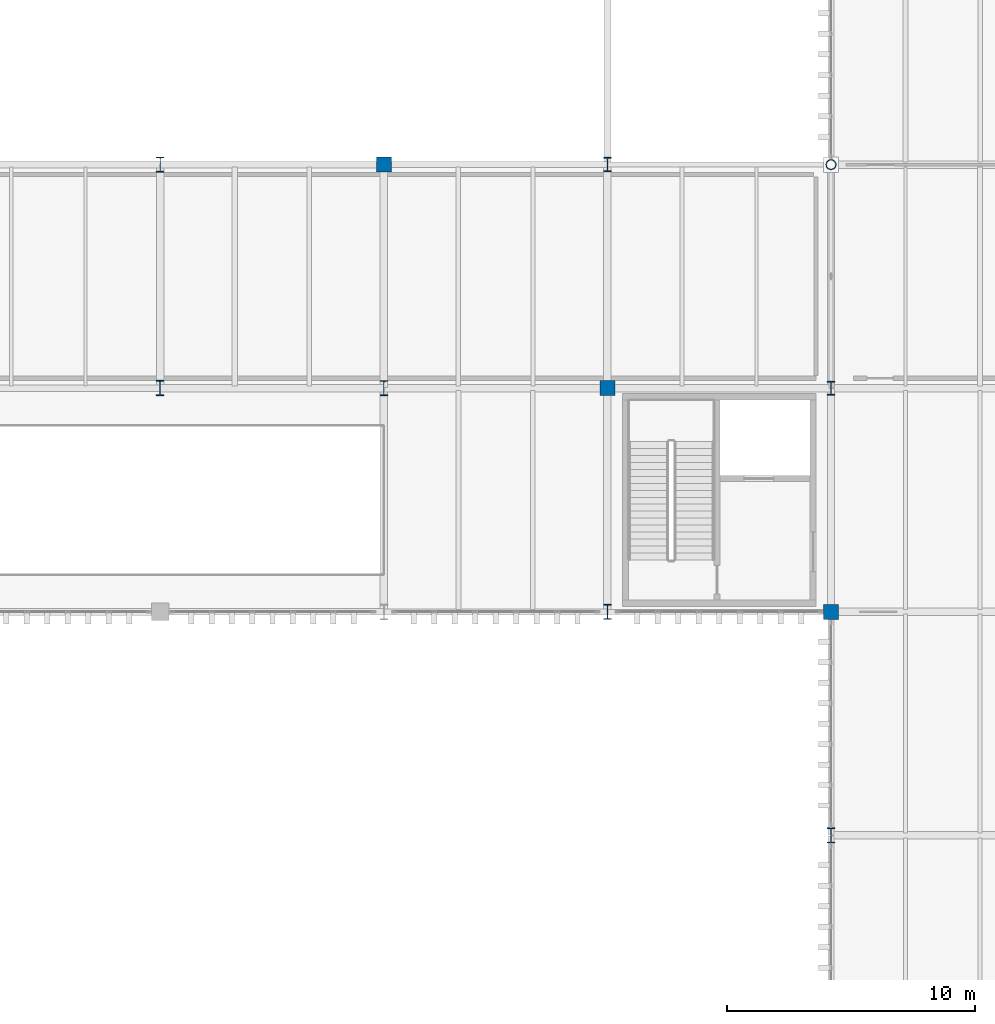
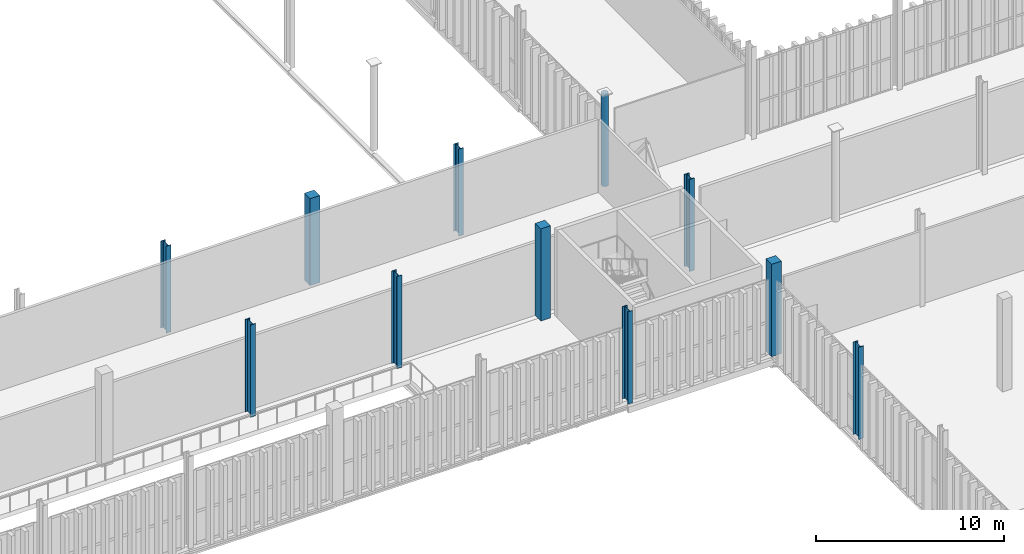
# One storey, part 7 of 237: 11 columns.
"""IFC4 building model written with IfcOpenShell, lengths in metres."""

from ifc_helpers import new_model, si_unit, direction, frame, origin, origin_2d, place, context, subcontext, project, spatial, rectangle, hollow_circle, i_section, extrude, material, material_profile, profile_set, type_object, element, save


model = new_model("IFC4")

# Units and contexts
model_context = context("Model", 3, precision=1e-05, world=origin(), true_north=direction((0.0, 1.0)))
body_context = subcontext(model_context, "Body", "Model", "MODEL_VIEW")
ifc_project = project(units=[si_unit("LENGTHUNIT", "METRE"), si_unit("AREAUNIT", "SQUARE_METRE"), si_unit("VOLUMEUNIT", "CUBIC_METRE"), si_unit("PLANEANGLEUNIT", "RADIAN"), si_unit("MASSUNIT", "GRAM", prefix="KILO")], contexts=[model_context])

# Site, building, storey
site_placement = place(None, origin())
site = spatial("IfcSite", under=ifc_project, at=site_placement, CompositionType="ELEMENT")
building_placement = place(site_placement, origin())
building = spatial("IfcBuilding", under=site, at=building_placement, Name="Barlavento Convention Centre", CompositionType="ELEMENT")
storey_placement = place(building_placement, frame((0.0, 0.0, 12.0)))
storey = spatial("IfcBuildingStorey", under=building, at=storey_placement, Name="L02", CompositionType="ELEMENT", Elevation=12.0)

# Columns
ifc_material_1 = material(Name="Steel S355", Category="steel")
ifc_material_profile_1 = material_profile(ifc_material_1, hollow_circle(Radius=0.203125, WallThickness=0.01611328125, at=origin_2d()), Name="CHS 406.4x16.0")
ifc_profile_set_1 = profile_set([ifc_material_profile_1], Name="Steel S355")
column_type_1 = type_object("IfcColumnType", Name="STR-COL-CHS406", PredefinedType="COLUMN", material=ifc_profile_set_1)
column_1_placement = place(storey_placement, frame((126.0, 63.0, 0.0), z_axis=(0.0, 0.0, 1.0), x_axis=(1.0, 0.0, 0.0)))
element("IfcColumn", 1, at=column_1_placement, inside=storey, type_object=column_type_1, Name="L02 column SC14", PredefinedType="COLUMN", context=body_context, shape_type="SweptSolid", body=[
    extrude(hollow_circle(Radius=0.203125, WallThickness=0.01611328125, at=origin_2d()), origin(), (0.0, 0.0, 1.0), 6.0),
])
ifc_material_profile_2 = material_profile(ifc_material_1, i_section(OverallWidth=0.300048828125, OverallDepth=0.60009765625, WebThickness=0.015380859375, FlangeThickness=0.030029296875, FilletRadius=0.027099609375, at=origin_2d()), Name="HEB 600")
ifc_profile_set_2 = profile_set([ifc_material_profile_2], Name="Steel S355")
column_type_2 = type_object("IfcColumnType", Name="STR-COL-HEB600", PredefinedType="COLUMN", material=ifc_profile_set_2)
column_2_placement = place(storey_placement, frame((99.0, 63.0, 0.0), z_axis=(0.0, 0.0, 1.0), x_axis=(1.0, 0.0, 0.0)))
element("IfcColumn", 2, at=column_2_placement, inside=storey, type_object=column_type_2, Name="L02 column SC08", PredefinedType="COLUMN", context=body_context, shape_type="SweptSolid", body=[
    extrude(i_section(OverallWidth=0.300048828125, OverallDepth=0.60009765625, WebThickness=0.015380859375, FlangeThickness=0.030029296875, FilletRadius=0.027099609375, at=origin_2d()), origin(), (0.0, 0.0, 1.0), 5.655029296875),
])
for number, where, z_axis, x_axis, name in (
    (3, (108.0, 54.0, 0.0), (0.0, 0.0, 1.0), (1.0, 0.0, 0.0), "L02 column SC08"),
    (4, (117.0, 45.0, 0.0), (0.0, 0.0, 1.0), (1.0, 0.0, 0.0), "L02 column SC08"),
    (5, (126.0, 36.0, 0.0), (0.0, 0.0, 1.0), (1.0, 0.0, 0.0), "L02 column SC08"),
):
    element("IfcColumn", number, at=place(storey_placement, frame(where, z_axis=z_axis, x_axis=x_axis)), inside=storey, type_object=column_type_2, Name=name, PredefinedType="COLUMN", context=body_context, shape_type="SweptSolid", body=[
        extrude(i_section(OverallWidth=0.300048828125, OverallDepth=0.60009765625, WebThickness=0.015380859375, FlangeThickness=0.030029296875, FilletRadius=0.027099609375, at=origin_2d()), origin(), (0.0, 0.0, 1.0), 6.0),
    ])
ifc_material_profile_3 = material_profile(ifc_material_1, i_section(OverallWidth=0.305908203125, OverallDepth=0.572021484375, WebThickness=0.02099609375, FlangeThickness=0.0400390625, FilletRadius=0.027099609375, at=origin_2d()), Name="HEM 550")
ifc_profile_set_3 = profile_set([ifc_material_profile_3], Name="Steel S355")
column_type_3 = type_object("IfcColumnType", Name="STR-COL-HEM550", PredefinedType="COLUMN", material=ifc_profile_set_3)
column_3_placement = place(storey_placement, frame((117.0, 63.0, 0.0), z_axis=(0.0, 0.0, 1.0), x_axis=(1.0, 0.0, 0.0)))
element("IfcColumn", 6, at=column_3_placement, inside=storey, type_object=column_type_3, Name="L02 column SC06", PredefinedType="COLUMN", context=body_context, shape_type="SweptSolid", body=[
    extrude(i_section(OverallWidth=0.305908203125, OverallDepth=0.572021484375, WebThickness=0.02099609375, FlangeThickness=0.0400390625, FilletRadius=0.027099609375, at=origin_2d()), origin(), (0.0, 0.0, 1.0), 5.655029296875),
])
column_4_placement = place(storey_placement, frame((126.0, 54.0, 0.0), z_axis=(0.0, 0.0, 1.0), x_axis=(1.0, 0.0, 0.0)))
element("IfcColumn", 7, at=column_4_placement, inside=storey, type_object=column_type_3, Name="L02 column SC06", PredefinedType="COLUMN", context=body_context, shape_type="SweptSolid", body=[
    extrude(i_section(OverallWidth=0.305908203125, OverallDepth=0.572021484375, WebThickness=0.02099609375, FlangeThickness=0.0400390625, FilletRadius=0.027099609375, at=origin_2d()), origin(), (0.0, 0.0, 1.0), 6.0),
])
ifc_material_profile_4 = material_profile(ifc_material_1, i_section(OverallWidth=0.304931640625, OverallDepth=0.6201171875, WebThickness=0.02099609375, FlangeThickness=0.0400390625, FilletRadius=0.027099609375, at=origin_2d()), Name="HEM 600")
ifc_profile_set_4 = profile_set([ifc_material_profile_4], Name="Steel S355")
column_type_4 = type_object("IfcColumnType", Name="STR-COL-HEM600", PredefinedType="COLUMN", material=ifc_profile_set_4)
column_5_placement = place(storey_placement, frame((99.0, 54.0, 0.0), z_axis=(0.0, 0.0, 1.0), x_axis=(1.0, 0.0, 0.0)))
element("IfcColumn", 8, at=column_5_placement, inside=storey, type_object=column_type_4, Name="L02 column SC05", PredefinedType="COLUMN", context=body_context, shape_type="SweptSolid", body=[
    extrude(i_section(OverallWidth=0.304931640625, OverallDepth=0.6201171875, WebThickness=0.02099609375, FlangeThickness=0.0400390625, FilletRadius=0.027099609375, at=origin_2d()), origin(), (0.0, 0.0, 1.0), 6.0),
])
ifc_material_2 = material(Name="Concrete C40/50", Category="concrete")
ifc_material_profile_5 = material_profile(ifc_material_2, rectangle(XDim=0.60009765625, YDim=0.60009765625, at=origin_2d()), Name="RC 600x600")
ifc_profile_set_5 = profile_set([ifc_material_profile_5], Name="Concrete C40/50")
column_type_5 = type_object("IfcColumnType", Name="STR-COL-RC600", PredefinedType="COLUMN", material=ifc_profile_set_5)
column_6_placement = place(storey_placement, frame((108.0, 63.0, 0.0), z_axis=(0.0, 0.0, 1.0), x_axis=(1.0, 0.0, 0.0)))
element("IfcColumn", 9, at=column_6_placement, inside=storey, type_object=column_type_5, Name="L02 column CC07", PredefinedType="COLUMN", context=body_context, shape_type="SweptSolid", body=[
    extrude(rectangle(XDim=0.60009765625, YDim=0.60009765625, at=origin_2d()), origin(), (0.0, 0.0, 1.0), 5.655029296875),
])
for number, where, z_axis, x_axis, name in (
    (10, (117.0, 54.0, 0.0), (0.0, 0.0, 1.0), (1.0, 0.0, 0.0), "L02 column CC07"),
    (11, (126.0, 45.0, 0.0), (0.0, 0.0, 1.0), (1.0, 0.0, 0.0), "L02 column CC07"),
):
    element("IfcColumn", number, at=place(storey_placement, frame(where, z_axis=z_axis, x_axis=x_axis)), inside=storey, type_object=column_type_5, Name=name, PredefinedType="COLUMN", context=body_context, shape_type="SweptSolid", body=[
        extrude(rectangle(XDim=0.60009765625, YDim=0.60009765625, at=origin_2d()), origin(), (0.0, 0.0, 1.0), 6.0),
    ])

save(model, "model.ifc")
